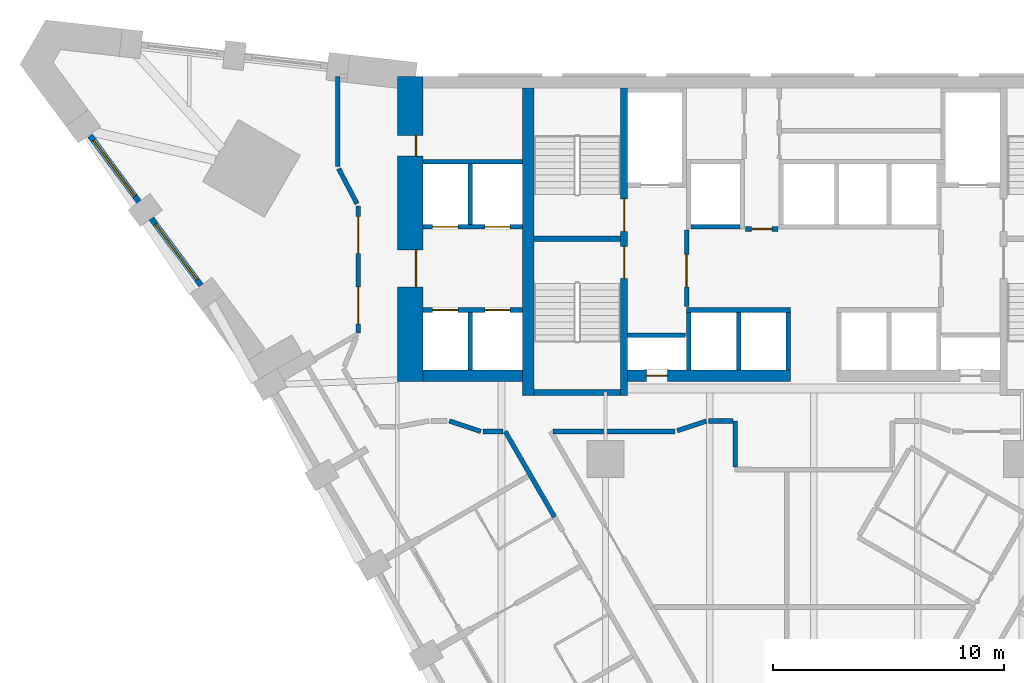
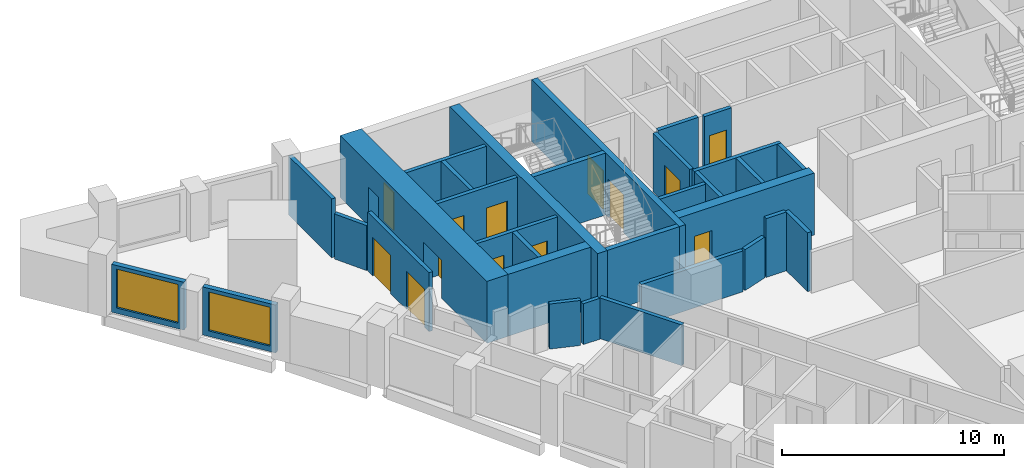
# One storey, part 7 of 12: 32 walls, 13 doors, 2 windows, 15 openings.
"""IFC4 building model written with IfcOpenShell, lengths in metres."""

import ifcopenshell
import ifcopenshell.guid

model = None  # the IFC model being written
_history = None  # IfcOwnerHistory: only IFC2X3 demands one
_inside = {}  # id of a spatial element -> (the spatial element, [elements in it])
_under = {}  # id of a project, library or spatial element -> (it, [spatial elements below it])
_declared = {}  # id of a project -> (the project, [libraries it declares])
_typed = {}  # id of a type object -> (the type object, [elements of that type])
_made_of = {}  # id of a material, layer set ... -> (it, [elements and type objects made of it])


def new_model(schema):
    """Start an empty IFC model of exactly this schema.

    Asked for "IFC4X3", IfcOpenShell would pick the latest addendum, in which some entities
    have other attributes; the version numbers below select the first issue.
    IFC2X3 requires an IfcOwnerHistory on every rooted entity: one is made here for all.
    """
    global model, _history
    if schema == "IFC4X3":
        model = ifcopenshell.file(schema_version=(4, 3, 0, 0))
    else:
        model = ifcopenshell.file(schema=schema)
    _inside.clear()
    _under.clear()
    _declared.clear()
    _typed.clear()
    _made_of.clear()
    _history = None
    if model.schema == "IFC2X3":
        org = make("IfcOrganization", Name="unknown")
        user = make(
            "IfcPersonAndOrganization",
            ThePerson=make("IfcPerson", FamilyName="unknown"),
            TheOrganization=org,
        )
        app = make(
            "IfcApplication",
            ApplicationDeveloper=org,
            Version="unknown",
            ApplicationFullName="unknown",
            ApplicationIdentifier="unknown",
        )
        _history = make(
            "IfcOwnerHistory",
            OwningUser=user,
            OwningApplication=app,
            ChangeAction="ADDED",
            CreationDate=0,
        )
    return model


def make(cls, **values):
    """One entity of the class cls with the attributes given. An attribute that is None is left unset."""
    return model.create_entity(
        cls, **{name: value for name, value in values.items() if value is not None}
    )


def rooted(cls, **values):
    """An entity with a GlobalId (a new one), such as an element, a storey or a relation."""
    return make(cls, GlobalId=ifcopenshell.guid.new(), OwnerHistory=_history, **values)


def si_unit(unit_type, name, prefix=None):
    """IfcSIUnit, for example si_unit("LENGTHUNIT", "METRE", prefix="MILLI")."""
    return make("IfcSIUnit", UnitType=unit_type, Prefix=prefix, Name=name)


def assignment(units):
    """IfcUnitAssignment: the units of a project."""
    return None if units is None else make("IfcUnitAssignment", Units=units)


def point(xyz):
    """IfcCartesianPoint."""
    return None if xyz is None else make("IfcCartesianPoint", Coordinates=xyz)


def direction(xyz):
    """IfcDirection."""
    return None if xyz is None else make("IfcDirection", DirectionRatios=xyz)


def frame(location, z_axis=None, x_axis=None):
    """IfcAxis2Placement3D, a coordinate frame: its origin and axes. An axis left out is left unset."""
    return make(
        "IfcAxis2Placement3D",
        Location=point(location),
        Axis=direction(z_axis),
        RefDirection=direction(x_axis),
    )


def frame_2d(location, x_axis=None):
    """IfcAxis2Placement2D, a coordinate frame in the plane: its origin and x axis."""
    return make(
        "IfcAxis2Placement2D", Location=point(location), RefDirection=direction(x_axis)
    )


def origin():
    """The frame at (0, 0, 0) with its axes left unset."""
    return frame((0.0, 0.0, 0.0))


def place(relative_to, where):
    """IfcLocalPlacement: puts the frame where relative to a parent placement (None: the world)."""
    return make(
        "IfcLocalPlacement", PlacementRelTo=relative_to, RelativePlacement=where
    )


def context(
    kind, dimensions, precision=None, world=None, true_north=None, identifier=None
):
    """IfcGeometricRepresentationContext, for example the 3D "Model" context."""
    return make(
        "IfcGeometricRepresentationContext",
        ContextIdentifier=identifier,
        ContextType=kind,
        CoordinateSpaceDimension=dimensions,
        Precision=precision,
        WorldCoordinateSystem=world,
        TrueNorth=true_north,
    )


def subcontext(parent, identifier, kind, view, scale=None):
    """IfcGeometricRepresentationSubContext, for example "Body" below "Model"."""
    return make(
        "IfcGeometricRepresentationSubContext",
        ContextIdentifier=identifier,
        ContextType=kind,
        ParentContext=parent,
        TargetScale=scale,
        TargetView=view,
    )


def project(units=None, contexts=None):
    """IfcProject with its units and contexts."""
    return rooted(
        "IfcProject",
        Name="project",
        RepresentationContexts=contexts,
        UnitsInContext=assignment(units),
    )


def spatial(cls, under=None, at=None, **own):
    """A site, building, storey or space (cls), placed at a placement, below another one or the project."""
    s = rooted(cls, ObjectPlacement=at, **own)
    if under is not None:
        _under.setdefault(under.id(), (under, []))[1].append(s)
    return s


def profile(cls, at=None, kind="AREA", **sizes):
    """A parametric profile (cls). Its sizes go by their IFC names, for example OverallWidth=200.0."""
    return make(cls, ProfileType=kind, Position=at, **sizes)


def rectangle(**sizes):
    """IfcRectangleProfileDef."""
    return profile("IfcRectangleProfileDef", **sizes)


def extrude(swept, where, along, depth):
    """IfcExtrudedAreaSolid: the profile swept, set in the frame where, extruded along a direction by depth."""
    return make(
        "IfcExtrudedAreaSolid",
        SweptArea=swept,
        Position=where,
        ExtrudedDirection=direction(along),
        Depth=depth,
    )


def shape(context_of_items, identifier, shape_type, items):
    """IfcShapeRepresentation: the items that make up one representation, for example the "Body"."""
    return make(
        "IfcShapeRepresentation",
        ContextOfItems=context_of_items,
        RepresentationIdentifier=identifier,
        RepresentationType=shape_type,
        Items=items,
    )


def material(Name=None, Category=None):
    """IfcMaterial."""
    return make("IfcMaterial", Name=Name, Category=Category)


def layer(
    of_material, thickness, ventilated=None, Name=None, Category=None, Priority=None
):
    """IfcMaterialLayer: one layer of a wall or slab, of a material (None: an air gap)."""
    return make(
        "IfcMaterialLayer",
        Material=of_material,
        LayerThickness=thickness,
        IsVentilated=ventilated,
        Name=Name,
        Category=Category,
        Priority=Priority,
    )


def layer_set(layers, Name=None):
    """IfcMaterialLayerSet."""
    return make("IfcMaterialLayerSet", MaterialLayers=layers, LayerSetName=Name)


def made_of(thing, what):
    """Note that an element or type object is made of a material, layer set ...; save() writes the relation."""
    if what is not None:
        _made_of.setdefault(what.id(), (what, []))[1].append(thing)
    return thing


def type_object(cls, material=None, **own):
    """A type object (cls), such as IfcWallType, which elements share."""
    return made_of(rooted(cls, **own), material)


def element(
    cls,
    number,
    at=None,
    inside=None,
    cuts=None,
    type_object=None,
    material=None,
    context=None,
    identifier="Body",
    shape_type=None,
    held_by="IfcProductDefinitionShape",
    body=None,
    shapes=None,
    **own,
):
    """One element of the class cls, such as IfcWall. Its Tag is "e" and its number.

    at: its placement. inside: the storey or other place that contains it. cuts: it is an
    opening in that element (IfcRelVoidsElement). A single representation is given by context,
    identifier, shape_type and body (its items); several are given by shapes. held_by: the class
    of the entity that holds the representations. save() writes the other relations.
    """
    e = rooted(cls, Tag="e%d" % number, ObjectPlacement=at, **own)
    if body is not None:
        shapes = [shape(context, identifier, shape_type, body)]
    if shapes is not None:
        e.Representation = make(held_by, Representations=shapes)
    if inside is not None:
        _inside.setdefault(inside.id(), (inside, []))[1].append(e)
    if cuts is not None:
        rooted(
            "IfcRelVoidsElement", RelatingBuildingElement=cuts, RelatedOpeningElement=e
        )
    if type_object is not None:
        _typed.setdefault(type_object.id(), (type_object, []))[1].append(e)
    return made_of(e, material)


def fill(opening, filler):
    """IfcRelFillsElement: the door or window that sits in an opening."""
    return rooted(
        "IfcRelFillsElement",
        RelatingOpeningElement=opening,
        RelatedBuildingElement=filler,
    )


def aggregate(whole, parts):
    """IfcRelAggregates: a whole, such as a stair, and the parts it consists of."""
    return rooted("IfcRelAggregates", RelatingObject=whole, RelatedObjects=parts)


def save(model, path):
    """Write the relations noted so far, then the file.

    IfcRelAggregates (storeys below a building ...), IfcRelContainedInSpatialStructure (elements
    in a storey), IfcRelDefinesByType, IfcRelAssociatesMaterial and IfcRelDeclares: one each for
    every whole, place, type object, material and project.
    """
    for whole, parts in _under.values():
        aggregate(whole, parts)
    for where, things in _inside.values():
        rooted(
            "IfcRelContainedInSpatialStructure",
            RelatedElements=things,
            RelatingStructure=where,
        )
    for kind, things in _typed.values():
        rooted("IfcRelDefinesByType", RelatedObjects=things, RelatingType=kind)
    for what, things in _made_of.values():
        rooted("IfcRelAssociatesMaterial", RelatedObjects=things, RelatingMaterial=what)
    for by, libraries in _declared.values():
        rooted("IfcRelDeclares", RelatingContext=by, RelatedDefinitions=libraries)
    model.write(path)


model = new_model("IFC4")

# Units and contexts
model_context = context("Model", 3, precision=1e-05, world=origin(), true_north=direction((0.0, 1.0)))
body_context = subcontext(model_context, "Body", "Model", "MODEL_VIEW")
ifc_project = project(units=[si_unit("LENGTHUNIT", "METRE"), si_unit("AREAUNIT", "SQUARE_METRE"), si_unit("VOLUMEUNIT", "CUBIC_METRE"), si_unit("PLANEANGLEUNIT", "RADIAN"), si_unit("MASSUNIT", "GRAM", prefix="KILO")], contexts=[model_context])

# Site, building, storey
site_placement = place(None, origin())
site = spatial("IfcSite", under=ifc_project, at=site_placement, CompositionType="ELEMENT")
building_placement = place(site_placement, origin())
building = spatial("IfcBuilding", under=site, at=building_placement, Name="Calabash Gate Tower", CompositionType="ELEMENT")
storey_placement = place(building_placement, frame((0.0, 0.0, 76.60009765625)))
storey = spatial("IfcBuildingStorey", under=building, at=storey_placement, Name="L15", CompositionType="ELEMENT", Elevation=76.60009765625)

# Wall, openings, doors
ifc_material_1 = material(Name="Concrete C80/95", Category="concrete")
ifc_layer_1 = layer(ifc_material_1, 1.10009765625)
ifc_layer_set_1 = layer_set([ifc_layer_1], Name="Core wall 1100 Concrete C80/95")
wall_type_1 = type_object("IfcWallType", Name="Core wall 1100 Concrete C80/95", PredefinedType="SHEAR", material=ifc_layer_set_1)
wall_1_placement = place(storey_placement, frame((-17.449951171875, 5.8525390625, 0.0), z_axis=(0.0, 0.0, 1.0), x_axis=(0.0, 1.0, 0.0)))
wall_1 = element("IfcWall", 1, at=wall_1_placement, inside=storey, type_object=wall_type_1, Name="Core wall Z1-ENDW L15", PredefinedType="SHEAR", context=body_context, shape_type="SweptSolid", body=[
    extrude(rectangle(XDim=13.199951171875, YDim=1.10009765625, at=frame_2d((6.60009765625, 0.0))), origin(), (0.0, 0.0, 1.0), 3.39990234375),
])
opening_1_placement = place(wall_1_placement, frame((4.10009765625, 0.0, 0.0)))
opening_1 = element("IfcOpeningElement", 2, at=opening_1_placement, cuts=wall_1, Name="Opening H4-003", PredefinedType="OPENING", context=body_context, shape_type="SweptSolid", body=[
    extrude(rectangle(XDim=1.60009765625, YDim=2.10009765625, at=frame_2d((0.800048828125, 1.050048828125))), frame((0.0, 0.56005859375, 0.0), z_axis=(0.0, -1.0, 0.0), x_axis=(1.0, 0.0, 0.0)), (0.0, 0.0, 1.0), 1.1201171875),
])
opening_2_placement = place(wall_1_placement, frame((9.75, 0.0, 0.0)))
opening_2 = element("IfcOpeningElement", 3, at=opening_2_placement, cuts=wall_1, Name="Opening H4-004", PredefinedType="OPENING", context=body_context, shape_type="SweptSolid", body=[
    extrude(rectangle(XDim=0.89990234375, YDim=2.10009765625, at=frame_2d((0.449951171875, 1.050048828125))), frame((0.0, 0.56005859375, 0.0), z_axis=(0.0, -1.0, 0.0), x_axis=(1.0, 0.0, 0.0)), (0.0, 0.0, 1.0), 1.1201171875),
])
ifc_material_2 = material(Name="Steel fire door set with fire-resisting glazing", Category="steel")
door_type_1 = type_object("IfcDoorType", Name="Double fire door D08 1600x2100 FD60", OperationType="DOUBLE_DOOR_SINGLE_SWING", PredefinedType="DOOR", material=ifc_material_2)
door_1_placement = place(opening_1_placement, origin())
door_1 = element("IfcDoor", 4, at=door_1_placement, inside=storey, type_object=door_type_1, Name="Low-rise Lift Lobby W door", OperationType="DOUBLE_DOOR_SINGLE_SWING", OverallHeight=2.10009765625, OverallWidth=1.60009765625, PredefinedType="DOOR", context=body_context, shape_type="SweptSolid", body=[
    extrude(rectangle(XDim=1.60009765625, YDim=2.10009765625, at=frame_2d((0.800048828125, 1.050048828125))), frame((0.0, -0.22509765625, 0.0), z_axis=(0.0, -1.0, 0.0), x_axis=(1.0, 0.0, 0.0)), (0.0, 0.0, 1.0), 0.050048828125),
])
fill(opening_1, door_1)
ifc_material_3 = material(Name="Steel fire door set with fire-resisting glazing", Category="steel")
door_type_2 = type_object("IfcDoorType", Name="Fire door D06 900x2100 FD60", OperationType="NOTDEFINED", PredefinedType="DOOR", material=ifc_material_3)
door_2_placement = place(opening_2_placement, origin())
door_2 = element("IfcDoor", 5, at=door_2_placement, inside=storey, type_object=door_type_2, Name="Housekeeping Store door", OperationType="SINGLE_SWING_RIGHT", OverallHeight=2.10009765625, OverallWidth=0.89990234375, PredefinedType="DOOR", context=body_context, shape_type="SweptSolid", body=[
    extrude(rectangle(XDim=0.89990234375, YDim=2.10009765625, at=frame_2d((0.449951171875, 1.050048828125))), frame((0.0, -0.22509765625, 0.0), z_axis=(0.0, -1.0, 0.0), x_axis=(1.0, 0.0, 0.0)), (0.0, 0.0, 1.0), 0.050048828125),
])
fill(opening_2, door_2)

# Walls
ifc_material_4 = material(Name="Concrete C80/95", Category="concrete")
ifc_layer_2 = layer(ifc_material_4, 0.25)
ifc_layer_set_2 = layer_set([ifc_layer_2], Name="Core wall 250 Concrete C80/95")
wall_type_2 = type_object("IfcWallType", Name="Core wall 250 Concrete C80/95", PredefinedType="SHEAR", material=ifc_layer_set_2)
for number, where, z_axis, x_axis, name in (
    (6, (-12.10009765625, 12.027587890625, 0.0), (0.0, 0.0, 1.0), (1.0, 0.0, 0.0), "Core wall Z1-MIDW L15"),
    (7, (-12.10009765625, 5.377685546875, 0.0), (0.0, 0.0, 1.0), (1.0, 0.0, 0.0), "Core wall Z1-SSW L15"),
):
    element("IfcWall", number, at=place(storey_placement, frame(where, z_axis=z_axis, x_axis=x_axis)), inside=storey, type_object=wall_type_2, Name=name, PredefinedType="SHEAR", context=body_context, shape_type="SweptSolid", body=[
        extrude(rectangle(XDim=3.75, YDim=0.25, at=frame_2d((1.875, 0.0))), origin(), (0.0, 0.0, 1.0), 3.39990234375),
    ])

# Wall, openings, doors
ifc_material_5 = material(Name="Concrete C80/95", Category="concrete")
ifc_layer_3 = layer(ifc_material_5, 0.300048828125)
ifc_layer_set_3 = layer_set([ifc_layer_3], Name="Core wall 300 Concrete C80/95")
wall_type_3 = type_object("IfcWallType", Name="Core wall 300 Concrete C80/95", PredefinedType="SHEAR", material=ifc_layer_set_3)
wall_2_placement = place(storey_placement, frame((-8.199951171875, 5.252685546875, 0.0), z_axis=(0.0, 0.0, 1.0), x_axis=(0.0, 1.0, 0.0)))
wall_2 = element("IfcWall", 8, at=wall_2_placement, inside=storey, type_object=wall_type_3, Name="Core wall Z1-PARTW L15", PredefinedType="SHEAR", context=body_context, shape_type="SweptSolid", body=[
    extrude(rectangle(XDim=13.2998046875, YDim=0.300048828125, at=frame_2d((6.64990234375, 0.0))), origin(), (0.0, 0.0, 1.0), 3.39990234375),
])
opening_3_placement = place(wall_2_placement, frame((7.10009765625, 0.0, 0.0)))
opening_3 = element("IfcOpeningElement", 9, at=opening_3_placement, cuts=wall_2, Name="Opening H4-013", PredefinedType="OPENING", context=body_context, shape_type="SweptSolid", body=[
    extrude(rectangle(XDim=1.39990234375, YDim=2.10009765625, at=frame_2d((0.699951171875, 1.050048828125))), frame((0.0, 0.159912109375, 0.0), z_axis=(0.0, -1.0, 0.0), x_axis=(1.0, 0.0, 0.0)), (0.0, 0.0, 1.0), 0.320068359375),
])
opening_4_placement = place(wall_2_placement, frame((5.050048828125, 0.0, 0.0)))
opening_4 = element("IfcOpeningElement", 10, at=opening_4_placement, cuts=wall_2, Name="Opening H4-014", PredefinedType="OPENING", context=body_context, shape_type="SweptSolid", body=[
    extrude(rectangle(XDim=1.39990234375, YDim=2.10009765625, at=frame_2d((0.699951171875, 1.050048828125))), frame((0.0, 0.159912109375, 0.0), z_axis=(0.0, -1.0, 0.0), x_axis=(1.0, 0.0, 0.0)), (0.0, 0.0, 1.0), 0.320068359375),
])
ifc_material_6 = material(Name="Steel fire door set with fire-resisting glazing", Category="steel")
door_type_3 = type_object("IfcDoorType", Name="Fire door D05 1400x2100 FD90", OperationType="NOTDEFINED", PredefinedType="DOOR", material=ifc_material_6)
door_3_placement = place(opening_3_placement, origin())
door_3 = element("IfcDoor", 11, at=door_3_placement, inside=storey, type_object=door_type_3, Name="Exit stair door ST1", OperationType="SINGLE_SWING_LEFT", OverallHeight=2.10009765625, OverallWidth=1.39990234375, PredefinedType="DOOR", context=body_context, shape_type="SweptSolid", body=[
    extrude(rectangle(XDim=1.39990234375, YDim=2.10009765625, at=frame_2d((0.699951171875, 1.050048828125))), frame((0.0, 0.02490234375, 0.0), z_axis=(0.0, -1.0, 0.0), x_axis=(1.0, 0.0, 0.0)), (0.0, 0.0, 1.0), 0.050048828125),
])
fill(opening_3, door_3)
door_4_placement = place(opening_4_placement, origin())
door_4 = element("IfcDoor", 12, at=door_4_placement, inside=storey, type_object=door_type_3, Name="Exit stair door ST2", OperationType="SINGLE_SWING_LEFT", OverallHeight=2.10009765625, OverallWidth=1.39990234375, PredefinedType="DOOR", context=body_context, shape_type="SweptSolid", body=[
    extrude(rectangle(XDim=1.39990234375, YDim=2.10009765625, at=frame_2d((0.699951171875, 1.050048828125))), frame((0.0, 0.02490234375, 0.0), z_axis=(0.0, -1.0, 0.0), x_axis=(1.0, 0.0, 0.0)), (0.0, 0.0, 1.0), 0.050048828125),
])
fill(opening_4, door_4)

# Wall
ifc_material_7 = material(Name="Concrete C80/95", Category="concrete")
ifc_layer_4 = layer(ifc_material_7, 0.5)
ifc_layer_set_4 = layer_set([ifc_layer_4], Name="Core wall 500 Concrete C80/95")
wall_type_4 = type_object("IfcWallType", Name="Core wall 500 Concrete C80/95", PredefinedType="SHEAR", material=ifc_layer_set_4)
wall_3_placement = place(storey_placement, frame((-12.35009765625, 5.252685546875, 0.0), z_axis=(0.0, 0.0, 1.0), x_axis=(0.0, 1.0, 0.0)))
element("IfcWall", 13, at=wall_3_placement, inside=storey, type_object=wall_type_4, Name="Core wall Z1-COLW L15", PredefinedType="SHEAR", context=body_context, shape_type="SweptSolid", body=[
    extrude(rectangle(XDim=13.2998046875, YDim=0.5, at=frame_2d((6.64990234375, 0.0))), origin(), (0.0, 0.0, 1.0), 3.39990234375),
])

# Wall, opening, door
wall_4_placement = place(storey_placement, frame((-8.050048828125, 6.1025390625, 0.0), z_axis=(0.0, 0.0, 1.0), x_axis=(1.0, 0.0, 0.0)))
wall_4 = element("IfcWall", 14, at=wall_4_placement, inside=storey, type_object=wall_type_4, Name="Core wall Z1-SA L15", PredefinedType="SHEAR", context=body_context, shape_type="SweptSolid", body=[
    extrude(rectangle(XDim=7.050048828125, YDim=0.5, at=frame_2d((3.52490234375, 0.0))), origin(), (0.0, 0.0, 1.0), 3.39990234375),
])
opening_5_placement = place(wall_4_placement, frame((0.824951171875, 0.0, 0.0)))
opening_5 = element("IfcOpeningElement", 15, at=opening_5_placement, cuts=wall_4, Name="Opening H4-012", PredefinedType="OPENING", context=body_context, shape_type="SweptSolid", body=[
    extrude(rectangle(XDim=0.89990234375, YDim=2.10009765625, at=frame_2d((0.449951171875, 1.050048828125))), frame((0.0, 0.260009765625, 0.0), z_axis=(0.0, -1.0, 0.0), x_axis=(1.0, 0.0, 0.0)), (0.0, 0.0, 1.0), 0.52001953125),
])
ifc_material_8 = material(Name="Steel fire door set with fire-resisting glazing", Category="steel")
door_type_4 = type_object("IfcDoorType", Name="Fire door D07 900x2100 FD90", OperationType="NOTDEFINED", PredefinedType="DOOR", material=ifc_material_8)
door_5_placement = place(opening_5_placement, origin())
door_5 = element("IfcDoor", 16, at=door_5_placement, inside=storey, type_object=door_type_4, Name="Electrical Riser W door", OperationType="SINGLE_SWING_LEFT", OverallHeight=2.10009765625, OverallWidth=0.89990234375, PredefinedType="DOOR", context=body_context, shape_type="SweptSolid", body=[
    extrude(rectangle(XDim=0.89990234375, YDim=2.10009765625, at=frame_2d((0.449951171875, 1.050048828125))), frame((0.0, 0.02490234375, 0.0), z_axis=(0.0, -1.0, 0.0), x_axis=(1.0, 0.0, 0.0)), (0.0, 0.0, 1.0), 0.050048828125),
])
fill(opening_5, door_5)

# Walls
wall_5_placement = place(storey_placement, frame((-12.60009765625, 6.1025390625, 0.0), z_axis=(0.0, 0.0, 1.0), x_axis=(-1.0, 0.0, 0.0)))
element("IfcWall", 17, at=wall_5_placement, inside=storey, type_object=wall_type_4, Name="Core wall Z1-SW L15", PredefinedType="SHEAR", context=body_context, shape_type="SweptSolid", body=[
    extrude(rectangle(XDim=4.2998046875, YDim=0.5, at=frame_2d((2.14990234375, 0.0))), origin(), (0.0, 0.0, 1.0), 3.39990234375),
])
ifc_material_9 = material(Name="Gypsum board on steel studs, mineral wool", Category="steel")
ifc_layer_5 = layer(ifc_material_9, 0.199951171875)
ifc_layer_set_5 = layer_set([ifc_layer_5], Name="Partition 200 gypsum board EI 60")
wall_type_5 = type_object("IfcWallType", Name="Partition 200 gypsum board EI 60", PredefinedType="PARTITIONING", material=ifc_layer_set_5)
wall_6_placement = place(storey_placement, frame((-13.33984375, 3.699462890625, 0.0), z_axis=(0.0, 0.0, 1.0), x_axis=(0.499410635897, -0.866365406023, 0.0)))
element("IfcWall", 18, at=wall_6_placement, inside=storey, type_object=wall_type_5, Name="Partition", PredefinedType="PARTITIONING", context=body_context, shape_type="SweptSolid", body=[
    extrude(rectangle(XDim=4.270751953125, YDim=0.199951171875, at=frame_2d((2.13525390625, 0.0))), origin(), (0.0, 0.0, 1.0), 2.24169921875),
])
wall_7_placement = place(storey_placement, frame((-3.402099609375, 4.150634765625, 0.0), z_axis=(0.0, 0.0, 1.0), x_axis=(0.000977397212, -0.999999522347, 0.0)))
element("IfcWall", 19, at=wall_7_placement, inside=storey, type_object=wall_type_5, Name="Partition", PredefinedType="PARTITIONING", context=body_context, shape_type="SweptSolid", body=[
    extrude(rectangle(XDim=1.998291015625, YDim=0.199951171875, at=frame_2d((0.9990234375, 0.0))), origin(), (0.0, 0.0, 1.0), 3.22998046875),
])
wall_8_placement = place(storey_placement, frame((-15.7578125, 4.152099609375, 0.0), z_axis=(0.0, 0.0, 1.0), x_axis=(0.948666237396, -0.316278943379, 0.0)))
element("IfcWall", 20, at=wall_8_placement, inside=storey, type_object=wall_type_5, Name="Partition", PredefinedType="PARTITIONING", context=body_context, shape_type="SweptSolid", body=[
    extrude(rectangle(XDim=1.43115234375, YDim=0.199951171875, at=frame_2d((0.715576171875, 0.0))), origin(), (0.0, 0.0, 1.0), 2.473388671875),
])
wall_9_placement = place(storey_placement, frame((-14.300048828125, 3.699462890625, 0.0), z_axis=(0.0, 0.0, 1.0), x_axis=(1.0, 0.0, 0.0)))
element("IfcWall", 21, at=wall_9_placement, inside=storey, type_object=wall_type_5, Name="Partition", PredefinedType="PARTITIONING", context=body_context, shape_type="SweptSolid", body=[
    extrude(rectangle(XDim=0.860107421875, YDim=0.199951171875, at=frame_2d((0.43017578125, 0.0))), origin(), (0.0, 0.0, 1.0), 2.24169921875),
])
wall_10_placement = place(storey_placement, frame((-11.2763671875, 3.69970703125, 0.0), z_axis=(0.0, 0.0, 1.0), x_axis=(1.0, 0.0, 0.0)))
element("IfcWall", 22, at=wall_10_placement, inside=storey, type_object=wall_type_5, Name="Partition", PredefinedType="PARTITIONING", context=body_context, shape_type="SweptSolid", body=[
    extrude(rectangle(XDim=5.2763671875, YDim=0.199951171875, at=frame_2d((2.63818359375, 0.0))), origin(), (0.0, 0.0, 1.0), 2.24169921875),
])
wall_11_placement = place(storey_placement, frame((-5.905029296875, 3.7314453125, 0.0), z_axis=(0.0, 0.0, 1.0), x_axis=(0.948683298051, 0.316227766017, 0.0)))
element("IfcWall", 23, at=wall_11_placement, inside=storey, type_object=wall_type_5, Name="Partition", PredefinedType="PARTITIONING", context=body_context, shape_type="SweptSolid", body=[
    extrude(rectangle(XDim=1.3310546875, YDim=0.199951171875, at=frame_2d((0.66552734375, 0.0))), origin(), (0.0, 0.0, 1.0), 2.24169921875),
])
wall_12_placement = place(storey_placement, frame((-4.542236328125, 4.152099609375, 0.0), z_axis=(0.0, 0.0, 1.0), x_axis=(0.9999990086, -0.001408118764, 0.0)))
element("IfcWall", 24, at=wall_12_placement, inside=storey, type_object=wall_type_5, Name="Partition", PredefinedType="PARTITIONING", context=body_context, shape_type="SweptSolid", body=[
    extrude(rectangle(XDim=1.040283203125, YDim=0.199951171875, at=frame_2d((0.52001953125, 0.0))), origin(), (0.0, 0.0, 1.0), 3.22998046875),
])

# Wall, openings, doors
wall_13_placement = place(storey_placement, frame((-19.700439453125, 7.95263671875, 0.0), z_axis=(0.0, 0.0, 1.0), x_axis=(0.0, 1.0, 0.0)))
wall_13 = element("IfcWall", 25, at=wall_13_placement, inside=storey, type_object=wall_type_5, Name="Partition", PredefinedType="PARTITIONING", context=body_context, shape_type="SweptSolid", body=[
    extrude(rectangle(XDim=5.499755859375, YDim=0.199951171875, at=frame_2d((2.75, 0.0))), origin(), (0.0, 0.0, 1.0), 3.22998046875),
])
opening_6_placement = place(wall_13_placement, frame((0.39990234375, 0.0, 0.0)))
opening_6 = element("IfcOpeningElement", 26, at=opening_6_placement, cuts=wall_13, Name="Opening 15-17-037", PredefinedType="OPENING", context=body_context, shape_type="SweptSolid", body=[
    extrude(rectangle(XDim=1.60009765625, YDim=2.10009765625, at=frame_2d((0.800048828125, 1.050048828125))), frame((0.0, 0.10986328125, 0.0), z_axis=(0.0, -1.0, 0.0), x_axis=(1.0, 0.0, 0.0)), (0.0, 0.0, 1.0), 0.219970703125),
])
opening_7_placement = place(wall_13_placement, frame((3.44970703125, 0.0, 0.0)))
opening_7 = element("IfcOpeningElement", 27, at=opening_7_placement, cuts=wall_13, Name="Opening 15-17-038", PredefinedType="OPENING", context=body_context, shape_type="SweptSolid", body=[
    extrude(rectangle(XDim=1.60009765625, YDim=2.10009765625, at=frame_2d((0.800048828125, 1.050048828125))), frame((0.0, 0.10986328125, 0.0), z_axis=(0.0, -1.0, 0.0), x_axis=(1.0, 0.0, 0.0)), (0.0, 0.0, 1.0), 0.219970703125),
])
ifc_material_10 = material(Name="Steel fire door set with fire-resisting glazing", Category="steel")
door_type_5 = type_object("IfcDoorType", Name="LD1 Lounge double door 1600x2100", OperationType="NOTDEFINED", PredefinedType="DOOR", material=ifc_material_10)
door_6_placement = place(opening_6_placement, origin())
door_6 = element("IfcDoor", 28, at=door_6_placement, inside=storey, type_object=door_type_5, Name="Lounge double door", OperationType="DOUBLE_DOOR_SINGLE_SWING", OverallHeight=2.10009765625, OverallWidth=1.60009765625, PredefinedType="DOOR", context=body_context, shape_type="SweptSolid", body=[
    extrude(rectangle(XDim=1.60009765625, YDim=2.10009765625, at=frame_2d((0.800048828125, 1.050048828125))), frame((0.0, 0.02490234375, 0.0), z_axis=(0.0, -1.0, 0.0), x_axis=(1.0, 0.0, 0.0)), (0.0, 0.0, 1.0), 0.050048828125),
])
fill(opening_6, door_6)
door_7_placement = place(opening_7_placement, origin())
door_7 = element("IfcDoor", 29, at=door_7_placement, inside=storey, type_object=door_type_5, Name="Lounge double door", OperationType="DOUBLE_DOOR_SINGLE_SWING", OverallHeight=2.10009765625, OverallWidth=1.60009765625, PredefinedType="DOOR", context=body_context, shape_type="SweptSolid", body=[
    extrude(rectangle(XDim=1.60009765625, YDim=2.10009765625, at=frame_2d((0.800048828125, 1.050048828125))), frame((0.0, 0.02490234375, 0.0), z_axis=(0.0, -1.0, 0.0), x_axis=(1.0, 0.0, 0.0)), (0.0, 0.0, 1.0), 0.050048828125),
])
fill(opening_7, door_7)

# Walls
wall_14_placement = place(storey_placement, frame((-20.542724609375, 15.063720703125, 0.0), z_axis=(0.0, 0.0, 1.0), x_axis=(0.463226309124, -0.886240027609, 0.0)))
element("IfcWall", 30, at=wall_14_placement, inside=storey, type_object=wall_type_5, Name="Partition", PredefinedType="PARTITIONING", context=body_context, shape_type="SweptSolid", body=[
    extrude(rectangle(XDim=1.71826171875, YDim=0.199951171875, at=frame_2d((0.859130859375, 0.0))), origin(), (0.0, 0.0, 1.0), 2.473388671875),
])
wall_15_placement = place(storey_placement, frame((-20.589111328125, 19.052490234375, 0.0), z_axis=(0.0, 0.0, 1.0), x_axis=(0.0, -1.0, 0.0)))
element("IfcWall", 31, at=wall_15_placement, inside=storey, type_object=wall_type_5, Name="Partition", PredefinedType="PARTITIONING", context=body_context, shape_type="SweptSolid", body=[
    extrude(rectangle(XDim=3.89990234375, YDim=0.199951171875, at=frame_2d((1.949951171875, 0.0))), origin(), (0.0, 0.0, 1.0), 3.22998046875),
])

# Wall, opening, window
ifc_material_11 = material(Name="Aluminium framed window wall with insulated spandrel", Category="aluminium")
ifc_layer_6 = layer(ifc_material_11, 0.25)
ifc_layer_set_6 = layer_set([ifc_layer_6], Name="Prow window wall 250")
wall_type_6 = type_object("IfcWallType", Name="Prow window wall 250", PredefinedType="ELEMENTEDWALL", material=ifc_layer_set_6)
wall_16_placement = place(storey_placement, frame((-31.28759765625, 16.481201171875, 0.0), z_axis=(0.0, 0.0, 1.0), x_axis=(0.595304805086, -0.803499962067, 0.0)))
wall_16 = element("IfcWall", 32, at=wall_16_placement, inside=storey, type_object=wall_type_6, Name="Prow window wall S04 wedge7.1", PredefinedType="ELEMENTEDWALL", context=body_context, shape_type="SweptSolid", body=[
    extrude(rectangle(XDim=3.552001953125, YDim=0.25, at=frame_2d((1.77587890625, 0.0))), origin(), (0.0, 0.0, 1.0), 2.6298828125),
])
opening_8_placement = place(wall_16_placement, frame((0.25, 0.0, 0.300048828125)))
opening_8 = element("IfcOpeningElement", 33, at=opening_8_placement, cuts=wall_16, Name="Opening WP1L-2130", PredefinedType="OPENING", context=body_context, shape_type="SweptSolid", body=[
    extrude(rectangle(XDim=3.0, YDim=2.1298828125, at=frame_2d((1.5, 1.06494140625))), frame((0.0, 0.135009765625, 0.0), z_axis=(0.0, -1.0, 0.0), x_axis=(1.0, 0.0, 0.0)), (0.0, 0.0, 1.0), 0.27001953125),
])
ifc_material_12 = material(Name="Anodised aluminium frame, bronze finish, impact-rated laminated clear glazing", Category="aluminium")
window_type = type_object("IfcWindowType", Name="Window WP1L 3000x2130", PartitioningType="DOUBLE_PANEL_VERTICAL", PredefinedType="WINDOW", material=ifc_material_12)
window_1_placement = place(opening_8_placement, origin())
window_1 = element("IfcWindow", 34, at=window_1_placement, inside=storey, type_object=window_type, Name="Prow window WP1L S04 wedge7.1", OverallHeight=2.1298828125, OverallWidth=3.0, PartitioningType="SINGLE_PANEL", PredefinedType="WINDOW", context=body_context, shape_type="SweptSolid", body=[
    extrude(rectangle(XDim=3.0, YDim=2.1298828125, at=frame_2d((1.5, 1.06494140625))), frame((0.0, 0.030029296875, 0.0), z_axis=(0.0, -1.0, 0.0), x_axis=(1.0, 0.0, 0.0)), (0.0, 0.0, 1.0), 0.06005859375),
])
fill(opening_8, window_1)

wall_17_placement = place(storey_placement, frame((-28.638427734375, 12.905517578125, 0.0), z_axis=(0.0, 0.0, 1.0), x_axis=(0.595302153335, -0.803501926715, 0.0)))
wall_17 = element("IfcWall", 35, at=wall_17_placement, inside=storey, type_object=wall_type_6, Name="Prow window wall S04 wedge7.2", PredefinedType="ELEMENTEDWALL", context=body_context, shape_type="SweptSolid", body=[
    extrude(rectangle(XDim=3.599853515625, YDim=0.25, at=frame_2d((1.7998046875, 0.0))), origin(), (0.0, 0.0, 1.0), 2.6298828125),
])
opening_9_placement = place(wall_17_placement, frame((0.300048828125, 0.0, 0.300048828125)))
opening_9 = element("IfcOpeningElement", 36, at=opening_9_placement, cuts=wall_17, Name="Opening WP1L-2130", PredefinedType="OPENING", context=body_context, shape_type="SweptSolid", body=[
    extrude(rectangle(XDim=3.0, YDim=2.1298828125, at=frame_2d((1.5, 1.06494140625))), frame((0.0, 0.135009765625, 0.0), z_axis=(0.0, -1.0, 0.0), x_axis=(1.0, 0.0, 0.0)), (0.0, 0.0, 1.0), 0.27001953125),
])
window_2_placement = place(opening_9_placement, origin())
window_2 = element("IfcWindow", 37, at=window_2_placement, inside=storey, type_object=window_type, Name="Prow window WP1L S04 wedge7.2", OverallHeight=2.1298828125, OverallWidth=3.0, PartitioningType="SINGLE_PANEL", PredefinedType="WINDOW", context=body_context, shape_type="SweptSolid", body=[
    extrude(rectangle(XDim=3.0, YDim=2.1298828125, at=frame_2d((1.5, 1.06494140625))), frame((0.0, 0.030029296875, 0.0), z_axis=(0.0, -1.0, 0.0), x_axis=(1.0, 0.0, 0.0)), (0.0, 0.0, 1.0), 0.06005859375),
])
fill(opening_9, window_2)

# Walls
ifc_material_13 = material(Name="Concrete C40/50", Category="concrete")
ifc_layer_7 = layer(ifc_material_13, 0.199951171875)
ifc_layer_set_7 = layer_set([ifc_layer_7], Name="Shaft wall 200 Concrete C40/50")
wall_type_7 = type_object("IfcWallType", Name="Shaft wall 200 Concrete C40/50", PredefinedType="SOLIDWALL", material=ifc_layer_set_7)
for number, where, z_axis, x_axis, name in (
    (38, (-14.85009765625, 6.3525390625, 0.0), (0.0, 0.0, 1.0), (0.0, 1.0, 0.0), "Shaft wall"),
    (39, (-5.39990234375, 6.3525390625, 0.0), (0.0, 0.0, 1.0), (0.0, 1.0, 0.0), "Shaft wall"),
    (40, (-3.25, 6.3525390625, 0.0), (0.0, 0.0, 1.0), (0.0, 1.0, 0.0), "Shaft wall"),
    (41, (-1.10009765625, 6.3525390625, 0.0), (0.0, 0.0, 1.0), (0.0, 1.0, 0.0), "Shaft wall"),
    (42, (-8.050048828125, 7.8525390625, 0.0), (0.0, 0.0, 1.0), (1.0, 0.0, 0.0), "Shaft wall"),
):
    element("IfcWall", number, at=place(storey_placement, frame(where, z_axis=z_axis, x_axis=x_axis)), inside=storey, type_object=wall_type_7, Name=name, PredefinedType="SOLIDWALL", context=body_context, shape_type="SweptSolid", body=[
        extrude(rectangle(XDim=2.5, YDim=0.199951171875, at=frame_2d((1.25, 0.0))), origin(), (0.0, 0.0, 1.0), 3.22998046875),
    ])

# Wall, openings, doors
wall_18_placement = place(storey_placement, frame((-16.89990234375, 8.95263671875, 0.0), z_axis=(0.0, 0.0, 1.0), x_axis=(1.0, 0.0, 0.0)))
wall_18 = element("IfcWall", 43, at=wall_18_placement, inside=storey, type_object=wall_type_7, Name="Shaft wall", PredefinedType="SOLIDWALL", context=body_context, shape_type="SweptSolid", body=[
    extrude(rectangle(XDim=4.2998046875, YDim=0.199951171875, at=frame_2d((2.14990234375, 0.0))), origin(), (0.0, 0.0, 1.0), 3.22998046875),
])
opening_10_placement = place(wall_18_placement, frame((2.675048828125, 0.0, 0.0)))
opening_10 = element("IfcOpeningElement", 44, at=opening_10_placement, cuts=wall_18, Name="Opening LD-LR1", PredefinedType="OPENING", context=body_context, shape_type="SweptSolid", body=[
    extrude(rectangle(XDim=1.10009765625, YDim=2.10009765625, at=frame_2d((0.550048828125, 1.050048828125))), frame((0.0, 0.10986328125, 0.0), z_axis=(0.0, -1.0, 0.0), x_axis=(1.0, 0.0, 0.0)), (0.0, 0.0, 1.0), 0.219970703125),
])
opening_11_placement = place(wall_18_placement, frame((0.425048828125, 0.0, 0.0)))
opening_11 = element("IfcOpeningElement", 45, at=opening_11_placement, cuts=wall_18, Name="Opening LD-LR2", PredefinedType="OPENING", context=body_context, shape_type="SweptSolid", body=[
    extrude(rectangle(XDim=1.10009765625, YDim=2.10009765625, at=frame_2d((0.550048828125, 1.050048828125))), frame((0.0, 0.10986328125, 0.0), z_axis=(0.0, -1.0, 0.0), x_axis=(1.0, 0.0, 0.0)), (0.0, 0.0, 1.0), 0.219970703125),
])
ifc_material_14 = material(Name="Stainless steel sliding door leaves", Category="steel")
door_type_6 = type_object("IfcDoorType", Name="Lift landing door LS1 1100x2100 FD90", OperationType="DOUBLE_DOOR_SLIDING", PredefinedType="DOOR", material=ifc_material_14)
door_8_placement = place(opening_10_placement, origin())
door_8 = element("IfcDoor", 46, at=door_8_placement, inside=storey, type_object=door_type_6, Name="Lift landing door LR1", OperationType="DOUBLE_DOOR_SLIDING", OverallHeight=2.10009765625, OverallWidth=1.10009765625, PredefinedType="DOOR", context=body_context, shape_type="SweptSolid", body=[
    extrude(rectangle(XDim=1.10009765625, YDim=2.10009765625, at=frame_2d((0.550048828125, 1.050048828125))), frame((0.0, 0.02490234375, 0.0), z_axis=(0.0, -1.0, 0.0), x_axis=(1.0, 0.0, 0.0)), (0.0, 0.0, 1.0), 0.050048828125),
])
fill(opening_10, door_8)
door_9_placement = place(opening_11_placement, origin())
door_9 = element("IfcDoor", 47, at=door_9_placement, inside=storey, type_object=door_type_6, Name="Lift landing door LR2", OperationType="DOUBLE_DOOR_SLIDING", OverallHeight=2.10009765625, OverallWidth=1.10009765625, PredefinedType="DOOR", context=body_context, shape_type="SweptSolid", body=[
    extrude(rectangle(XDim=1.10009765625, YDim=2.10009765625, at=frame_2d((0.550048828125, 1.050048828125))), frame((0.0, 0.02490234375, 0.0), z_axis=(0.0, -1.0, 0.0), x_axis=(1.0, 0.0, 0.0)), (0.0, 0.0, 1.0), 0.050048828125),
])
fill(opening_11, door_9)

# Wall
wall_19_placement = place(storey_placement, frame((-5.5, 8.95263671875, 0.0), z_axis=(0.0, 0.0, 1.0), x_axis=(1.0, 0.0, 0.0)))
element("IfcWall", 48, at=wall_19_placement, inside=storey, type_object=wall_type_7, Name="Shaft wall", PredefinedType="SOLIDWALL", context=body_context, shape_type="SweptSolid", body=[
    extrude(rectangle(XDim=4.5, YDim=0.199951171875, at=frame_2d((2.25, 0.0))), origin(), (0.0, 0.0, 1.0), 3.22998046875),
])

# Wall, opening, door
wall_20_placement = place(storey_placement, frame((-5.5, 9.1025390625, 0.0), z_axis=(0.0, 0.0, 1.0), x_axis=(0.0, 1.0, 0.0)))
wall_20 = element("IfcWall", 49, at=wall_20_placement, inside=storey, type_object=wall_type_7, Name="Shaft wall", PredefinedType="SOLIDWALL", context=body_context, shape_type="SweptSolid", body=[
    extrude(rectangle(XDim=3.300048828125, YDim=0.199951171875, at=frame_2d((1.64990234375, 0.0))), origin(), (0.0, 0.0, 1.0), 3.22998046875),
])
opening_12_placement = place(wall_20_placement, frame((0.85009765625, 0.0, 0.0)))
opening_12 = element("IfcOpeningElement", 50, at=opening_12_placement, cuts=wall_20, Name="Opening H4-007", PredefinedType="OPENING", context=body_context, shape_type="SweptSolid", body=[
    extrude(rectangle(XDim=1.39990234375, YDim=2.10009765625, at=frame_2d((0.699951171875, 1.050048828125))), frame((0.0, 0.10986328125, 0.0), z_axis=(0.0, -1.0, 0.0), x_axis=(1.0, 0.0, 0.0)), (0.0, 0.0, 1.0), 0.219970703125),
])
door_10_placement = place(opening_12_placement, origin())
door_10 = element("IfcDoor", 51, at=door_10_placement, inside=storey, type_object=door_type_3, Name="Firefighting Lobby W door", OperationType="SINGLE_SWING_RIGHT", OverallHeight=2.10009765625, OverallWidth=1.39990234375, PredefinedType="DOOR", context=body_context, shape_type="SweptSolid", body=[
    extrude(rectangle(XDim=1.39990234375, YDim=2.10009765625, at=frame_2d((0.699951171875, 1.050048828125))), frame((0.0, 0.02490234375, 0.0), z_axis=(0.0, -1.0, 0.0), x_axis=(1.0, 0.0, 0.0)), (0.0, 0.0, 1.0), 0.050048828125),
])
fill(opening_12, door_10)

wall_21_placement = place(storey_placement, frame((-2.949951171875, 12.45263671875, 0.0), z_axis=(0.0, 0.0, 1.0), x_axis=(1.0, 0.0, 0.0)))
wall_21 = element("IfcWall", 52, at=wall_21_placement, inside=storey, type_object=wall_type_7, Name="Shaft wall", PredefinedType="SOLIDWALL", context=body_context, shape_type="SweptSolid", body=[
    extrude(rectangle(XDim=1.39990234375, YDim=0.199951171875, at=frame_2d((0.699951171875, 0.0))), origin(), (0.0, 0.0, 1.0), 3.22998046875),
])
opening_13_placement = place(wall_21_placement, frame((0.25, 0.0, 0.0)))
opening_13 = element("IfcOpeningElement", 53, at=opening_13_placement, cuts=wall_21, Name="Opening H4-005", PredefinedType="OPENING", context=body_context, shape_type="SweptSolid", body=[
    extrude(rectangle(XDim=0.89990234375, YDim=2.10009765625, at=frame_2d((0.449951171875, 1.050048828125))), frame((0.0, 0.10986328125, 0.0), z_axis=(0.0, -1.0, 0.0), x_axis=(1.0, 0.0, 0.0)), (0.0, 0.0, 1.0), 0.219970703125),
])
door_11_placement = place(opening_13_placement, origin())
door_11 = element("IfcDoor", 54, at=door_11_placement, inside=storey, type_object=door_type_2, Name="Service Corridor door", OperationType="SINGLE_SWING_RIGHT", OverallHeight=2.10009765625, OverallWidth=0.89990234375, PredefinedType="DOOR", context=body_context, shape_type="SweptSolid", body=[
    extrude(rectangle(XDim=0.89990234375, YDim=2.10009765625, at=frame_2d((0.449951171875, 1.050048828125))), frame((0.0, 0.02490234375, 0.0), z_axis=(0.0, -1.0, 0.0), x_axis=(1.0, 0.0, 0.0)), (0.0, 0.0, 1.0), 0.050048828125),
])
fill(opening_13, door_11)

# Wall, openings, doors
wall_22_placement = place(storey_placement, frame((-16.89990234375, 12.552490234375, 0.0), z_axis=(0.0, 0.0, 1.0), x_axis=(1.0, 0.0, 0.0)))
wall_22 = element("IfcWall", 55, at=wall_22_placement, inside=storey, type_object=wall_type_7, Name="Shaft wall", PredefinedType="SOLIDWALL", context=body_context, shape_type="SweptSolid", body=[
    extrude(rectangle(XDim=4.2998046875, YDim=0.199951171875, at=frame_2d((2.14990234375, 0.0))), origin(), (0.0, 0.0, 1.0), 3.22998046875),
])
opening_14_placement = place(wall_22_placement, frame((2.675048828125, 0.0, 0.0)))
opening_14 = element("IfcOpeningElement", 56, at=opening_14_placement, cuts=wall_22, Name="Opening LD-LR3", PredefinedType="OPENING", context=body_context, shape_type="SweptSolid", body=[
    extrude(rectangle(XDim=1.10009765625, YDim=2.10009765625, at=frame_2d((0.550048828125, 1.050048828125))), frame((0.0, 0.10986328125, 0.0), z_axis=(0.0, -1.0, 0.0), x_axis=(1.0, 0.0, 0.0)), (0.0, 0.0, 1.0), 0.219970703125),
])
opening_15_placement = place(wall_22_placement, frame((0.425048828125, 0.0, 0.0)))
opening_15 = element("IfcOpeningElement", 57, at=opening_15_placement, cuts=wall_22, Name="Opening LD-LR4", PredefinedType="OPENING", context=body_context, shape_type="SweptSolid", body=[
    extrude(rectangle(XDim=1.10009765625, YDim=2.10009765625, at=frame_2d((0.550048828125, 1.050048828125))), frame((0.0, 0.10986328125, 0.0), z_axis=(0.0, -1.0, 0.0), x_axis=(1.0, 0.0, 0.0)), (0.0, 0.0, 1.0), 0.219970703125),
])
door_12_placement = place(opening_14_placement, origin())
door_12 = element("IfcDoor", 58, at=door_12_placement, inside=storey, type_object=door_type_6, Name="Lift landing door LR3", OperationType="DOUBLE_DOOR_SLIDING", OverallHeight=2.10009765625, OverallWidth=1.10009765625, PredefinedType="DOOR", context=body_context, shape_type="SweptSolid", body=[
    extrude(rectangle(XDim=1.10009765625, YDim=2.10009765625, at=frame_2d((0.550048828125, 1.050048828125))), frame((0.0, 0.02490234375, 0.0), z_axis=(0.0, -1.0, 0.0), x_axis=(1.0, 0.0, 0.0)), (0.0, 0.0, 1.0), 0.050048828125),
])
fill(opening_14, door_12)
door_13_placement = place(opening_15_placement, origin())
door_13 = element("IfcDoor", 59, at=door_13_placement, inside=storey, type_object=door_type_6, Name="Lift landing door LR4", OperationType="DOUBLE_DOOR_SLIDING", OverallHeight=2.10009765625, OverallWidth=1.10009765625, PredefinedType="DOOR", context=body_context, shape_type="SweptSolid", body=[
    extrude(rectangle(XDim=1.10009765625, YDim=2.10009765625, at=frame_2d((0.550048828125, 1.050048828125))), frame((0.0, 0.02490234375, 0.0), z_axis=(0.0, -1.0, 0.0), x_axis=(1.0, 0.0, 0.0)), (0.0, 0.0, 1.0), 0.050048828125),
])
fill(opening_15, door_13)

# Walls
wall_23_placement = place(storey_placement, frame((-5.300048828125, 12.552490234375, 0.0), z_axis=(0.0, 0.0, 1.0), x_axis=(1.0, 0.0, 0.0)))
element("IfcWall", 60, at=wall_23_placement, inside=storey, type_object=wall_type_7, Name="Shaft wall", PredefinedType="SOLIDWALL", context=body_context, shape_type="SweptSolid", body=[
    extrude(rectangle(XDim=2.10009765625, YDim=0.199951171875, at=frame_2d((1.050048828125, 0.0))), origin(), (0.0, 0.0, 1.0), 3.22998046875),
])
wall_24_placement = place(storey_placement, frame((-14.85009765625, 12.652587890625, 0.0), z_axis=(0.0, 0.0, 1.0), x_axis=(0.0, 1.0, 0.0)))
element("IfcWall", 61, at=wall_24_placement, inside=storey, type_object=wall_type_7, Name="Shaft wall", PredefinedType="SOLIDWALL", context=body_context, shape_type="SweptSolid", body=[
    extrude(rectangle(XDim=2.60009765625, YDim=0.199951171875, at=frame_2d((1.300048828125, 0.0))), origin(), (0.0, 0.0, 1.0), 3.22998046875),
])
wall_25_placement = place(storey_placement, frame((-16.89990234375, 15.3525390625, 0.0), z_axis=(0.0, 0.0, 1.0), x_axis=(1.0, 0.0, 0.0)))
element("IfcWall", 62, at=wall_25_placement, inside=storey, type_object=wall_type_7, Name="Shaft wall", PredefinedType="SOLIDWALL", context=body_context, shape_type="SweptSolid", body=[
    extrude(rectangle(XDim=4.2998046875, YDim=0.199951171875, at=frame_2d((2.14990234375, 0.0))), origin(), (0.0, 0.0, 1.0), 3.22998046875),
])

save(model, "model.ifc")
